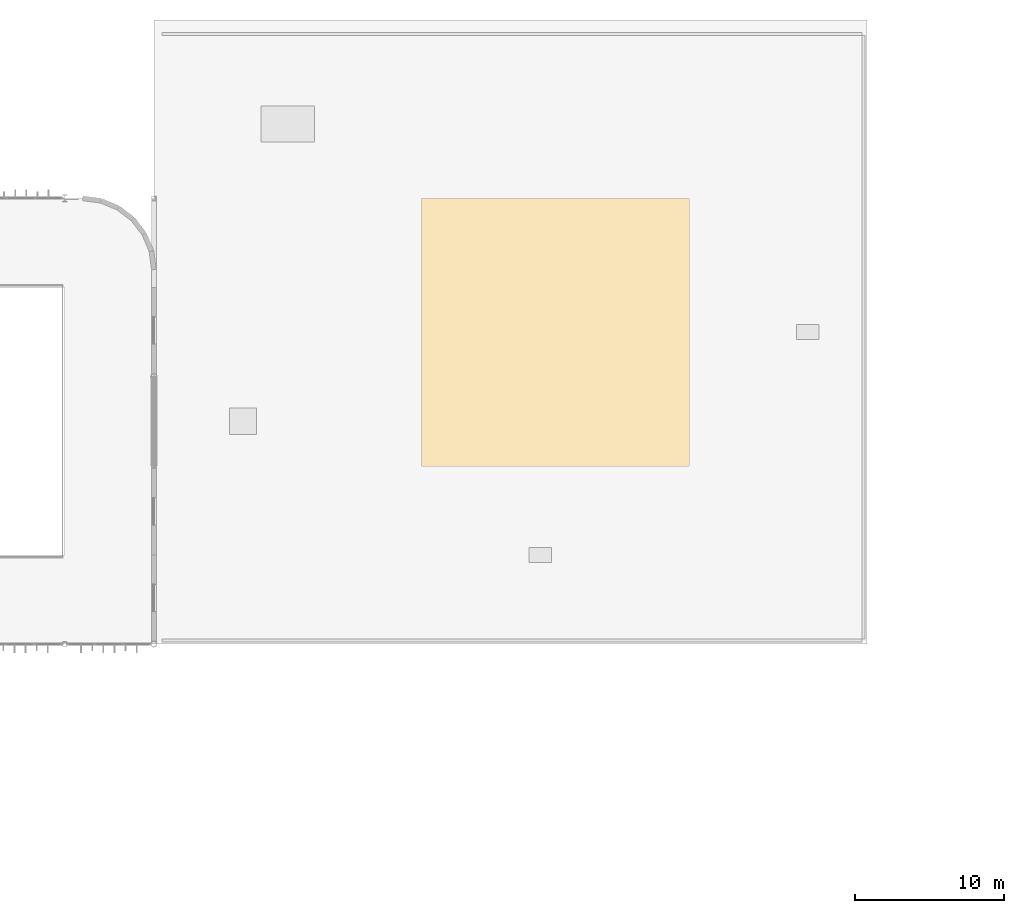
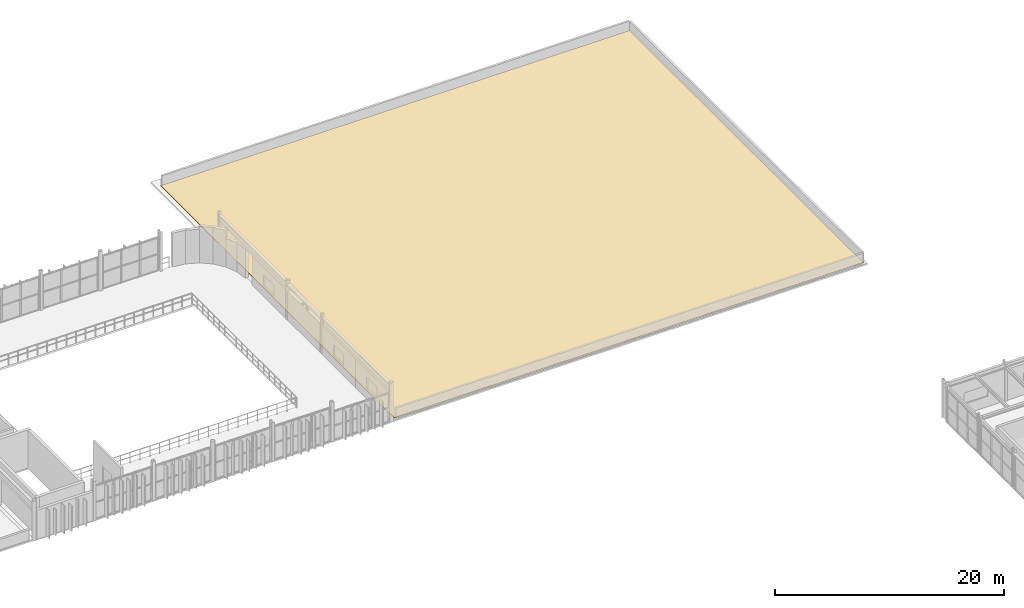
# One storey, part 79 of 83: 1 covering.
"""IFC4 building model written with IfcOpenShell, lengths in metres."""

from ifc_helpers import new_model, si_unit, direction, frame, origin, place, context, subcontext, project, spatial, polyline, outline, extrude, material, layer, layer_set, type_object, element, save


model = new_model("IFC4")

# Units and contexts
model_context = context("Model", 3, precision=1e-05, world=origin(), true_north=direction((0.0, 1.0)))
body_context = subcontext(model_context, "Body", "Model", "MODEL_VIEW")
ifc_project = project(units=[si_unit("LENGTHUNIT", "METRE"), si_unit("AREAUNIT", "SQUARE_METRE"), si_unit("VOLUMEUNIT", "CUBIC_METRE"), si_unit("PLANEANGLEUNIT", "RADIAN"), si_unit("MASSUNIT", "GRAM", prefix="KILO")], contexts=[model_context])

# Site, building, storey
site_placement = place(None, origin())
site = spatial("IfcSite", under=ifc_project, at=site_placement, CompositionType="ELEMENT")
building_placement = place(site_placement, origin())
building = spatial("IfcBuilding", under=site, at=building_placement, Name="Varnakota Square Police Headquarters", CompositionType="ELEMENT")
storey_placement = place(building_placement, frame((0.0, 0.0, 18.0)))
storey = spatial("IfcBuildingStorey", under=building, at=storey_placement, Name="L04", CompositionType="ELEMENT", Elevation=18.0)

# Covering
ifc_material = material(Name="High-Albedo White TPO Waterproofing Membrane")
ifc_layer = layer(ifc_material, 0.0400390625, Name="High-Albedo White TPO Waterproofing Membrane")
ifc_layer_set = layer_set([ifc_layer], Name="High-Albedo White TPO Waterproofing Membrane")
covering_type = type_object("IfcCoveringType", Name="COV-RF-MEM", PredefinedType="ROOFING", material=ifc_layer_set)
covering_placement = place(storey_placement, origin())
element("IfcCovering", 1, at=covering_placement, inside=storey, type_object=covering_type, Name="Roof waterproofing membrane RF-L04-V7", PredefinedType="ROOFING", context=body_context, shape_type="SweptSolid", body=[
    extrude(outline(polyline([(96.449951171875, 69.25), (143.75, 69.25), (143.75, 110.050048828125), (96.449951171875, 110.050048828125), (96.449951171875, 69.25)])), origin(), (0.0, 0.0, 1.0), 0.0400390625),
])

save(model, "model.ifc")
